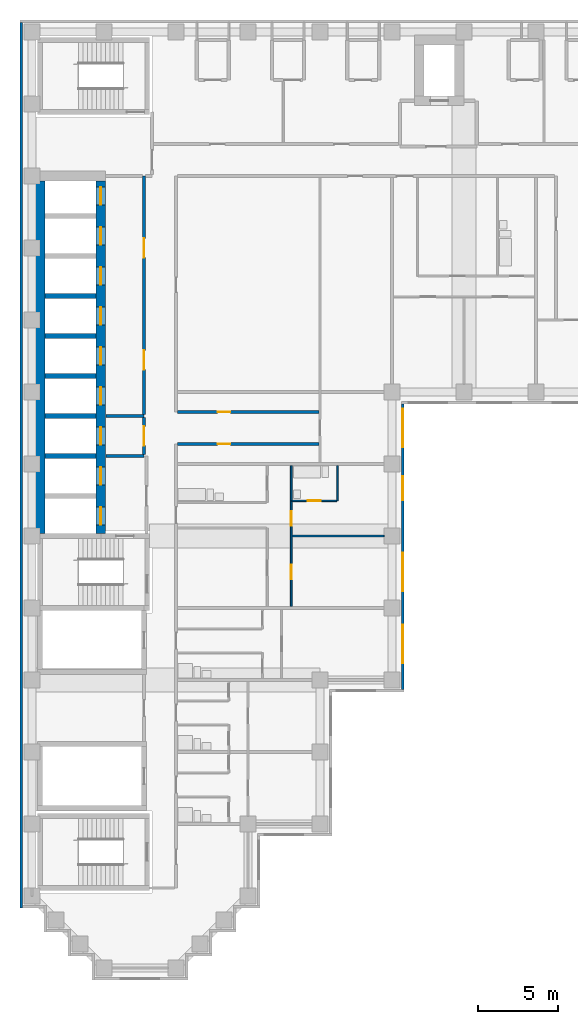
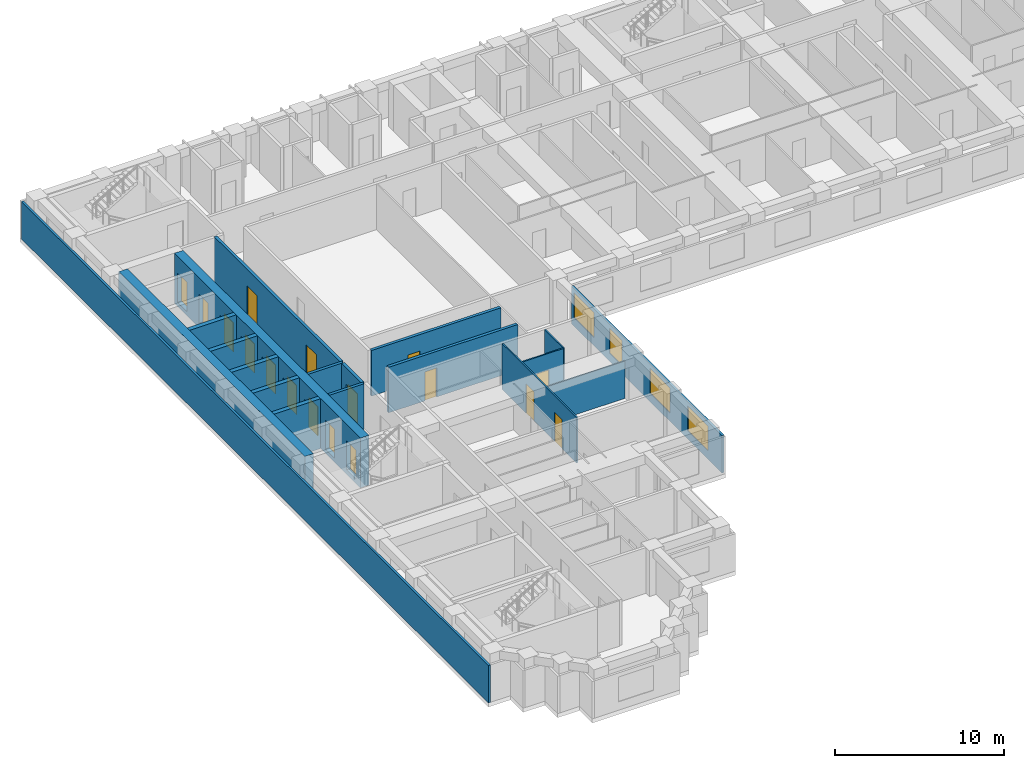
# One storey, part 4 of 12: 19 walls, 17 doors, 4 windows, 21 openings.
"""IFC4 building model written with IfcOpenShell, lengths in metres."""

from ifc_helpers import new_model, si_unit, direction, frame, frame_2d, origin, place, context, subcontext, project, spatial, rectangle, extrude, material, layer, layer_set, type_object, element, fill, save


model = new_model("IFC4")

# Units and contexts
model_context = context("Model", 3, precision=1e-05, world=origin(), true_north=direction((0.0, 1.0)))
body_context = subcontext(model_context, "Body", "Model", "MODEL_VIEW")
ifc_project = project(units=[si_unit("LENGTHUNIT", "METRE"), si_unit("AREAUNIT", "SQUARE_METRE"), si_unit("VOLUMEUNIT", "CUBIC_METRE"), si_unit("PLANEANGLEUNIT", "RADIAN"), si_unit("MASSUNIT", "GRAM", prefix="KILO")], contexts=[model_context])

# Site, building, storey
site_placement = place(None, origin())
site = spatial("IfcSite", under=ifc_project, at=site_placement, CompositionType="ELEMENT")
building_placement = place(site_placement, origin())
building = spatial("IfcBuilding", under=site, at=building_placement, Name="Firuza Court", CompositionType="ELEMENT")
storey_placement = place(building_placement, frame((0.0, 0.0, 152.0)))
storey = spatial("IfcBuildingStorey", under=building, at=storey_placement, Name="L38", CompositionType="ELEMENT", Elevation=152.0)

# Wall, opening, door
ifc_material_1 = material(Name="Moisture-resistant gypsum board partition")
ifc_layer_1 = layer(ifc_material_1, 0.10009765625)
ifc_layer_set_1 = layer_set([ifc_layer_1], Name="Moisture-resistant gypsum board partition")
wall_type_1 = type_object("IfcWallType", Name="Bathroom partition 100", PredefinedType="PLUMBINGWALL", material=ifc_layer_set_1)
wall_1_placement = place(storey_placement, frame((16.25, 29.199951171875, 0.0), z_axis=(0.0, 0.0, 1.0), x_axis=(1.0, 0.0, 0.0)))
wall_1 = element("IfcWall", 1, at=wall_1_placement, inside=storey, type_object=wall_type_1, Name="Bathroom partition 100 L38", PredefinedType="PLUMBINGWALL", context=body_context, shape_type="SweptSolid", body=[
    extrude(rectangle(XDim=2.800048828125, YDim=0.10009765625, at=frame_2d((1.39990234375, 0.0))), origin(), (0.0, 0.0, 1.0), 3.300048828125),
])
opening_1_placement = place(wall_1_placement, frame((1.0, 0.0, 0.0)))
opening_1 = element("IfcOpeningElement", 2, at=opening_1_placement, cuts=wall_1, Name="Opening D38037", PredefinedType="OPENING", context=body_context, shape_type="SweptSolid", body=[
    extrude(rectangle(XDim=0.800048828125, YDim=2.10009765625, at=frame_2d((0.39990234375, 1.050048828125))), frame((0.0, 0.06201171875, 0.0), z_axis=(0.0, -1.0, 0.0), x_axis=(1.0, 0.0, 0.0)), (0.0, 0.0, 1.0), 0.1240234375),
])
ifc_material_2 = material(Name="Timber door leaf in hardwood frame", Category="wood")
door_type_1 = type_object("IfcDoorType", Name="Bathroom door 800", OperationType="SINGLE_SWING_LEFT", PredefinedType="DOOR", material=ifc_material_2)
door_1_placement = place(opening_1_placement, origin())
door_1 = element("IfcDoor", 3, at=door_1_placement, inside=storey, type_object=door_type_1, Name="En-suite door", OperationType="SINGLE_SWING_LEFT", OverallHeight=2.10009765625, OverallWidth=0.800048828125, PredefinedType="DOOR", context=body_context, shape_type="SweptSolid", body=[
    extrude(rectangle(XDim=0.800048828125, YDim=2.10009765625, at=frame_2d((0.39990234375, 1.050048828125))), frame((0.0, 0.02490234375, 0.0), z_axis=(0.0, -1.0, 0.0), x_axis=(1.0, 0.0, 0.0)), (0.0, 0.0, 1.0), 0.050048828125),
])
fill(opening_1, door_1)

# Walls
wall_2_placement = place(storey_placement, frame((19.10009765625, 29.199951171875, 0.0), z_axis=(0.0, 0.0, 1.0), x_axis=(0.0, 1.0, 0.0)))
element("IfcWall", 4, at=wall_2_placement, inside=storey, type_object=wall_type_1, Name="Bathroom partition 100 L38", PredefinedType="PLUMBINGWALL", context=body_context, shape_type="SweptSolid", body=[
    extrude(rectangle(XDim=2.199951171875, YDim=0.10009765625, at=frame_2d((1.10009765625, 0.0))), origin(), (0.0, 0.0, 1.0), 3.300048828125),
])
ifc_material_3 = material(Name="Concrete C60/75", Category="concrete")
ifc_layer_2 = layer(ifc_material_3, 0.300048828125)
ifc_layer_set_2 = layer_set([ifc_layer_2], Name="Concrete C60/75")
wall_type_2 = type_object("IfcWallType", Name="Core wall 300 C60/75", PredefinedType="SHEAR", material=ifc_layer_set_2)
for number, where, z_axis, x_axis, name in (
    (5, (0.800048828125, 32.0, -0.300048828125), (0.0, 0.0, 1.0), (1.0, 0.0, 0.0), "Core wall lift shaft L38"),
    (6, (0.800048828125, 34.5, -0.300048828125), (0.0, 0.0, 1.0), (1.0, 0.0, 0.0), "Core wall lift shaft L38"),
    (7, (0.800048828125, 37.0, -0.300048828125), (0.0, 0.0, 1.0), (1.0, 0.0, 0.0), "Core wall lift shaft L38"),
    (8, (0.800048828125, 39.5, -0.300048828125), (0.0, 0.0, 1.0), (1.0, 0.0, 0.0), "Core wall lift shaft L38"),
    (9, (0.800048828125, 42.0, -0.300048828125), (0.0, 0.0, 1.0), (1.0, 0.0, 0.0), "Core wall lift shaft L38"),
):
    element("IfcWall", number, at=place(storey_placement, frame(where, z_axis=z_axis, x_axis=x_axis)), inside=storey, type_object=wall_type_2, Name=name, PredefinedType="SHEAR", context=body_context, shape_type="SweptSolid", body=[
        extrude(rectangle(XDim=3.199951171875, YDim=0.300048828125, at=frame_2d((1.60009765625, 0.0))), origin(), (0.0, 0.0, 1.0), 3.60009765625),
    ])
ifc_layer_3 = layer(ifc_material_3, 0.60009765625)
ifc_layer_set_3 = layer_set([ifc_layer_3], Name="Concrete C60/75")
wall_type_3 = type_object("IfcWallType", Name="Core wall 600 C60/75", PredefinedType="SHEAR", material=ifc_layer_set_3)
wall_3_placement = place(storey_placement, frame((0.5, 27.14990234375, -0.300048828125), z_axis=(0.0, 0.0, 1.0), x_axis=(0.0, 1.0, 0.0)))
element("IfcWall", 10, at=wall_3_placement, inside=storey, type_object=wall_type_3, Name="Core wall lift shaft L38", PredefinedType="SHEAR", context=body_context, shape_type="SweptSolid", body=[
    extrude(rectangle(XDim=22.050048828125, YDim=0.60009765625, at=frame_2d((11.02490234375, 0.0))), origin(), (0.0, 0.0, 1.0), 3.60009765625),
])

# Wall, openings, doors
wall_4_placement = place(storey_placement, frame((4.300048828125, 27.14990234375, -0.300048828125), z_axis=(0.0, 0.0, 1.0), x_axis=(0.0, 1.0, 0.0)))
wall_4 = element("IfcWall", 11, at=wall_4_placement, inside=storey, type_object=wall_type_3, Name="Core wall lift shaft L38", PredefinedType="SHEAR", context=body_context, shape_type="SweptSolid", body=[
    extrude(rectangle(XDim=22.050048828125, YDim=0.60009765625, at=frame_2d((11.02490234375, 0.0))), origin(), (0.0, 0.0, 1.0), 3.60009765625),
])
opening_2_placement = place(wall_4_placement, frame((3.050048828125, 0.0, 0.300048828125)))
opening_2 = element("IfcOpeningElement", 12, at=opening_2_placement, cuts=wall_4, Name="Opening LD-FL1-38", PredefinedType="OPENING", context=body_context, shape_type="SweptSolid", body=[
    extrude(rectangle(XDim=1.10009765625, YDim=2.10009765625, at=frame_2d((0.550048828125, 1.050048828125))), frame((0.0, 0.31201171875, 0.0), z_axis=(0.0, -1.0, 0.0), x_axis=(1.0, 0.0, 0.0)), (0.0, 0.0, 1.0), 0.6240234375),
])
opening_3_placement = place(wall_4_placement, frame((0.550048828125, 0.0, 0.300048828125)))
opening_3 = element("IfcOpeningElement", 13, at=opening_3_placement, cuts=wall_4, Name="Opening LD-FL2-38", PredefinedType="OPENING", context=body_context, shape_type="SweptSolid", body=[
    extrude(rectangle(XDim=1.10009765625, YDim=2.10009765625, at=frame_2d((0.550048828125, 1.050048828125))), frame((0.0, 0.31201171875, 0.0), z_axis=(0.0, -1.0, 0.0), x_axis=(1.0, 0.0, 0.0)), (0.0, 0.0, 1.0), 0.6240234375),
])
opening_4_placement = place(wall_4_placement, frame((20.550048828125, 0.0, 0.300048828125)))
opening_4 = element("IfcOpeningElement", 14, at=opening_4_placement, cuts=wall_4, Name="Opening LD-HB1-38", PredefinedType="OPENING", context=body_context, shape_type="SweptSolid", body=[
    extrude(rectangle(XDim=1.10009765625, YDim=2.10009765625, at=frame_2d((0.550048828125, 1.050048828125))), frame((0.0, 0.31201171875, 0.0), z_axis=(0.0, -1.0, 0.0), x_axis=(1.0, 0.0, 0.0)), (0.0, 0.0, 1.0), 0.6240234375),
])
opening_5_placement = place(wall_4_placement, frame((18.050048828125, 0.0, 0.300048828125)))
opening_5 = element("IfcOpeningElement", 15, at=opening_5_placement, cuts=wall_4, Name="Opening LD-HB2-38", PredefinedType="OPENING", context=body_context, shape_type="SweptSolid", body=[
    extrude(rectangle(XDim=1.10009765625, YDim=2.10009765625, at=frame_2d((0.550048828125, 1.050048828125))), frame((0.0, 0.31201171875, 0.0), z_axis=(0.0, -1.0, 0.0), x_axis=(1.0, 0.0, 0.0)), (0.0, 0.0, 1.0), 0.6240234375),
])
opening_6_placement = place(wall_4_placement, frame((15.550048828125, 0.0, 0.300048828125)))
opening_6 = element("IfcOpeningElement", 16, at=opening_6_placement, cuts=wall_4, Name="Opening LD-HB3-38", PredefinedType="OPENING", context=body_context, shape_type="SweptSolid", body=[
    extrude(rectangle(XDim=1.10009765625, YDim=2.10009765625, at=frame_2d((0.550048828125, 1.050048828125))), frame((0.0, 0.31201171875, 0.0), z_axis=(0.0, -1.0, 0.0), x_axis=(1.0, 0.0, 0.0)), (0.0, 0.0, 1.0), 0.6240234375),
])
opening_7_placement = place(wall_4_placement, frame((13.050048828125, 0.0, 0.300048828125)))
opening_7 = element("IfcOpeningElement", 17, at=opening_7_placement, cuts=wall_4, Name="Opening LD-HB4-38", PredefinedType="OPENING", context=body_context, shape_type="SweptSolid", body=[
    extrude(rectangle(XDim=1.10009765625, YDim=2.10009765625, at=frame_2d((0.550048828125, 1.050048828125))), frame((0.0, 0.31201171875, 0.0), z_axis=(0.0, -1.0, 0.0), x_axis=(1.0, 0.0, 0.0)), (0.0, 0.0, 1.0), 0.6240234375),
])
opening_8_placement = place(wall_4_placement, frame((10.550048828125, 0.0, 0.300048828125)))
opening_8 = element("IfcOpeningElement", 18, at=opening_8_placement, cuts=wall_4, Name="Opening LD-HB5-38", PredefinedType="OPENING", context=body_context, shape_type="SweptSolid", body=[
    extrude(rectangle(XDim=1.10009765625, YDim=2.10009765625, at=frame_2d((0.550048828125, 1.050048828125))), frame((0.0, 0.31201171875, 0.0), z_axis=(0.0, -1.0, 0.0), x_axis=(1.0, 0.0, 0.0)), (0.0, 0.0, 1.0), 0.6240234375),
])
opening_9_placement = place(wall_4_placement, frame((8.050048828125, 0.0, 0.300048828125)))
opening_9 = element("IfcOpeningElement", 19, at=opening_9_placement, cuts=wall_4, Name="Opening LD-HB6-38", PredefinedType="OPENING", context=body_context, shape_type="SweptSolid", body=[
    extrude(rectangle(XDim=1.10009765625, YDim=2.10009765625, at=frame_2d((0.550048828125, 1.050048828125))), frame((0.0, 0.31201171875, 0.0), z_axis=(0.0, -1.0, 0.0), x_axis=(1.0, 0.0, 0.0)), (0.0, 0.0, 1.0), 0.6240234375),
])
opening_10_placement = place(wall_4_placement, frame((5.550048828125, 0.0, 0.300048828125)))
opening_10 = element("IfcOpeningElement", 20, at=opening_10_placement, cuts=wall_4, Name="Opening LD-SL1-38", PredefinedType="OPENING", context=body_context, shape_type="SweptSolid", body=[
    extrude(rectangle(XDim=1.10009765625, YDim=2.10009765625, at=frame_2d((0.550048828125, 1.050048828125))), frame((0.0, 0.31201171875, 0.0), z_axis=(0.0, -1.0, 0.0), x_axis=(1.0, 0.0, 0.0)), (0.0, 0.0, 1.0), 0.6240234375),
])
ifc_material_4 = material(Name="Stainless steel 1.4301 door leaf", Category="steel")
door_type_2 = type_object("IfcDoorType", Name="Lift landing door 1100", OperationType="SLIDING_TO_LEFT", PredefinedType="DOOR", material=ifc_material_4)
door_2_placement = place(opening_2_placement, origin())
door_2 = element("IfcDoor", 21, at=door_2_placement, inside=storey, type_object=door_type_2, Name="Landing door FL1", OperationType="SLIDING_TO_LEFT", OverallHeight=2.10009765625, OverallWidth=1.10009765625, PredefinedType="DOOR", context=body_context, shape_type="SweptSolid", body=[
    extrude(rectangle(XDim=1.10009765625, YDim=2.10009765625, at=frame_2d((0.550048828125, 1.050048828125))), frame((0.0, 0.02490234375, 0.0), z_axis=(0.0, -1.0, 0.0), x_axis=(1.0, 0.0, 0.0)), (0.0, 0.0, 1.0), 0.050048828125),
])
fill(opening_2, door_2)
door_3_placement = place(opening_3_placement, origin())
door_3 = element("IfcDoor", 22, at=door_3_placement, inside=storey, type_object=door_type_2, Name="Landing door FL2", OperationType="SLIDING_TO_LEFT", OverallHeight=2.10009765625, OverallWidth=1.10009765625, PredefinedType="DOOR", context=body_context, shape_type="SweptSolid", body=[
    extrude(rectangle(XDim=1.10009765625, YDim=2.10009765625, at=frame_2d((0.550048828125, 1.050048828125))), frame((0.0, 0.02490234375, 0.0), z_axis=(0.0, -1.0, 0.0), x_axis=(1.0, 0.0, 0.0)), (0.0, 0.0, 1.0), 0.050048828125),
])
fill(opening_3, door_3)
door_4_placement = place(opening_4_placement, origin())
door_4 = element("IfcDoor", 23, at=door_4_placement, inside=storey, type_object=door_type_2, Name="Landing door HB1", OperationType="SLIDING_TO_LEFT", OverallHeight=2.10009765625, OverallWidth=1.10009765625, PredefinedType="DOOR", context=body_context, shape_type="SweptSolid", body=[
    extrude(rectangle(XDim=1.10009765625, YDim=2.10009765625, at=frame_2d((0.550048828125, 1.050048828125))), frame((0.0, 0.02490234375, 0.0), z_axis=(0.0, -1.0, 0.0), x_axis=(1.0, 0.0, 0.0)), (0.0, 0.0, 1.0), 0.050048828125),
])
fill(opening_4, door_4)
door_5_placement = place(opening_5_placement, origin())
door_5 = element("IfcDoor", 24, at=door_5_placement, inside=storey, type_object=door_type_2, Name="Landing door HB2", OperationType="SLIDING_TO_LEFT", OverallHeight=2.10009765625, OverallWidth=1.10009765625, PredefinedType="DOOR", context=body_context, shape_type="SweptSolid", body=[
    extrude(rectangle(XDim=1.10009765625, YDim=2.10009765625, at=frame_2d((0.550048828125, 1.050048828125))), frame((0.0, 0.02490234375, 0.0), z_axis=(0.0, -1.0, 0.0), x_axis=(1.0, 0.0, 0.0)), (0.0, 0.0, 1.0), 0.050048828125),
])
fill(opening_5, door_5)
door_6_placement = place(opening_6_placement, origin())
door_6 = element("IfcDoor", 25, at=door_6_placement, inside=storey, type_object=door_type_2, Name="Landing door HB3", OperationType="SLIDING_TO_LEFT", OverallHeight=2.10009765625, OverallWidth=1.10009765625, PredefinedType="DOOR", context=body_context, shape_type="SweptSolid", body=[
    extrude(rectangle(XDim=1.10009765625, YDim=2.10009765625, at=frame_2d((0.550048828125, 1.050048828125))), frame((0.0, 0.02490234375, 0.0), z_axis=(0.0, -1.0, 0.0), x_axis=(1.0, 0.0, 0.0)), (0.0, 0.0, 1.0), 0.050048828125),
])
fill(opening_6, door_6)
door_7_placement = place(opening_7_placement, origin())
door_7 = element("IfcDoor", 26, at=door_7_placement, inside=storey, type_object=door_type_2, Name="Landing door HB4", OperationType="SLIDING_TO_LEFT", OverallHeight=2.10009765625, OverallWidth=1.10009765625, PredefinedType="DOOR", context=body_context, shape_type="SweptSolid", body=[
    extrude(rectangle(XDim=1.10009765625, YDim=2.10009765625, at=frame_2d((0.550048828125, 1.050048828125))), frame((0.0, 0.02490234375, 0.0), z_axis=(0.0, -1.0, 0.0), x_axis=(1.0, 0.0, 0.0)), (0.0, 0.0, 1.0), 0.050048828125),
])
fill(opening_7, door_7)
door_8_placement = place(opening_8_placement, origin())
door_8 = element("IfcDoor", 27, at=door_8_placement, inside=storey, type_object=door_type_2, Name="Landing door HB5", OperationType="SLIDING_TO_LEFT", OverallHeight=2.10009765625, OverallWidth=1.10009765625, PredefinedType="DOOR", context=body_context, shape_type="SweptSolid", body=[
    extrude(rectangle(XDim=1.10009765625, YDim=2.10009765625, at=frame_2d((0.550048828125, 1.050048828125))), frame((0.0, 0.02490234375, 0.0), z_axis=(0.0, -1.0, 0.0), x_axis=(1.0, 0.0, 0.0)), (0.0, 0.0, 1.0), 0.050048828125),
])
fill(opening_8, door_8)
door_9_placement = place(opening_9_placement, origin())
door_9 = element("IfcDoor", 28, at=door_9_placement, inside=storey, type_object=door_type_2, Name="Landing door HB6", OperationType="SLIDING_TO_LEFT", OverallHeight=2.10009765625, OverallWidth=1.10009765625, PredefinedType="DOOR", context=body_context, shape_type="SweptSolid", body=[
    extrude(rectangle(XDim=1.10009765625, YDim=2.10009765625, at=frame_2d((0.550048828125, 1.050048828125))), frame((0.0, 0.02490234375, 0.0), z_axis=(0.0, -1.0, 0.0), x_axis=(1.0, 0.0, 0.0)), (0.0, 0.0, 1.0), 0.050048828125),
])
fill(opening_9, door_9)
door_10_placement = place(opening_10_placement, origin())
door_10 = element("IfcDoor", 29, at=door_10_placement, inside=storey, type_object=door_type_2, Name="Landing door SL1", OperationType="SLIDING_TO_LEFT", OverallHeight=2.10009765625, OverallWidth=1.10009765625, PredefinedType="DOOR", context=body_context, shape_type="SweptSolid", body=[
    extrude(rectangle(XDim=1.10009765625, YDim=2.10009765625, at=frame_2d((0.550048828125, 1.050048828125))), frame((0.0, 0.02490234375, 0.0), z_axis=(0.0, -1.0, 0.0), x_axis=(1.0, 0.0, 0.0)), (0.0, 0.0, 1.0), 0.050048828125),
])
fill(opening_10, door_10)

# Wall, opening, door
ifc_material_5 = material(Name="Blockwork, plastered both sides", Category="masonry")
ifc_layer_4 = layer(ifc_material_5, 0.199951171875)
ifc_layer_set_4 = layer_set([ifc_layer_4], Name="Blockwork, plastered both sides")
wall_type_4 = type_object("IfcWallType", Name="Corridor wall 200", PredefinedType="PARTITIONING", material=ifc_layer_set_4)
wall_5_placement = place(storey_placement, frame((9.10009765625, 32.75, 0.0), z_axis=(0.0, 0.0, 1.0), x_axis=(1.0, 0.0, 0.0)))
wall_5 = element("IfcWall", 30, at=wall_5_placement, inside=storey, type_object=wall_type_4, Name="Corridor wall 200 L38", PredefinedType="PARTITIONING", context=body_context, shape_type="SweptSolid", body=[
    extrude(rectangle(XDim=8.849853515625, YDim=0.199951171875, at=frame_2d((4.4248046875, 0.0))), origin(), (0.0, 0.0, 1.0), 3.300048828125),
])
opening_11_placement = place(wall_5_placement, frame((2.5, 0.0, 0.0)))
opening_11 = element("IfcOpeningElement", 31, at=opening_11_placement, cuts=wall_5, Name="Opening D38039", PredefinedType="OPENING", context=body_context, shape_type="SweptSolid", body=[
    extrude(rectangle(XDim=0.800048828125, YDim=2.10009765625, at=frame_2d((0.39990234375, 1.050048828125))), frame((0.0, 0.11181640625, 0.0), z_axis=(0.0, -1.0, 0.0), x_axis=(1.0, 0.0, 0.0)), (0.0, 0.0, 1.0), 0.223876953125),
])
ifc_material_6 = material(Name="Timber door leaf in hardwood frame", Category="wood")
door_type_3 = type_object("IfcDoorType", Name="Room door 800 EI 30", OperationType="SINGLE_SWING_LEFT", PredefinedType="DOOR", material=ifc_material_6)
door_11_placement = place(opening_11_placement, frame((0.800048828125, 0.0, 0.0), z_axis=(0.0, 0.0, 1.0), x_axis=(-1.0, 0.0, 0.0)))
door_11 = element("IfcDoor", 32, at=door_11_placement, inside=storey, type_object=door_type_3, Name="Store door", OperationType="SINGLE_SWING_RIGHT", OverallHeight=2.10009765625, OverallWidth=0.800048828125, PredefinedType="DOOR", context=body_context, shape_type="SweptSolid", body=[
    extrude(rectangle(XDim=0.800048828125, YDim=2.10009765625, at=frame_2d((0.39990234375, 1.050048828125))), frame((0.0, 0.02490234375, 0.0), z_axis=(0.0, -1.0, 0.0), x_axis=(1.0, 0.0, 0.0)), (0.0, 0.0, 1.0), 0.050048828125),
])
fill(opening_11, door_11)

wall_6_placement = place(storey_placement, frame((9.10009765625, 34.75, 0.0), z_axis=(0.0, 0.0, 1.0), x_axis=(1.0, 0.0, 0.0)))
wall_6 = element("IfcWall", 33, at=wall_6_placement, inside=storey, type_object=wall_type_4, Name="Corridor wall 200 L38", PredefinedType="PARTITIONING", context=body_context, shape_type="SweptSolid", body=[
    extrude(rectangle(XDim=8.849853515625, YDim=0.199951171875, at=frame_2d((4.4248046875, 0.0))), origin(), (0.0, 0.0, 1.0), 3.300048828125),
])
opening_12_placement = place(wall_6_placement, frame((2.5, 0.0, 0.0)))
opening_12 = element("IfcOpeningElement", 34, at=opening_12_placement, cuts=wall_6, Name="Opening D38041", PredefinedType="OPENING", context=body_context, shape_type="SweptSolid", body=[
    extrude(rectangle(XDim=0.800048828125, YDim=2.10009765625, at=frame_2d((0.39990234375, 1.050048828125))), frame((0.0, 0.11181640625, 0.0), z_axis=(0.0, -1.0, 0.0), x_axis=(1.0, 0.0, 0.0)), (0.0, 0.0, 1.0), 0.223876953125),
])
door_12_placement = place(opening_12_placement, origin())
door_12 = element("IfcDoor", 35, at=door_12_placement, inside=storey, type_object=door_type_3, Name="Store door", OperationType="SINGLE_SWING_LEFT", OverallHeight=2.10009765625, OverallWidth=0.800048828125, PredefinedType="DOOR", context=body_context, shape_type="SweptSolid", body=[
    extrude(rectangle(XDim=0.800048828125, YDim=2.10009765625, at=frame_2d((0.39990234375, 1.050048828125))), frame((0.0, 0.02490234375, 0.0), z_axis=(0.0, -1.0, 0.0), x_axis=(1.0, 0.0, 0.0)), (0.0, 0.0, 1.0), 0.050048828125),
])
fill(opening_12, door_12)

# Wall, openings, doors
ifc_material_7 = material(Name="Timber stud partition, plasterboard both sides", Category="wood")
ifc_layer_5 = layer(ifc_material_7, 0.10009765625)
ifc_layer_set_5 = layer_set([ifc_layer_5], Name="Timber stud partition, plasterboard both sides")
wall_type_5 = type_object("IfcWallType", Name="Partition wall 100", PredefinedType="PARTITIONING", material=ifc_layer_set_5)
wall_7_placement = place(storey_placement, frame((16.199951171875, 22.60009765625, 0.0), z_axis=(0.0, 0.0, 1.0), x_axis=(0.0, 1.0, 0.0)))
wall_7 = element("IfcWall", 36, at=wall_7_placement, inside=storey, type_object=wall_type_5, Name="Partition wall 100 L38", PredefinedType="PARTITIONING", context=body_context, shape_type="SweptSolid", body=[
    extrude(rectangle(XDim=8.7998046875, YDim=0.10009765625, at=frame_2d((4.39990234375, 0.0))), origin(), (0.0, 0.0, 1.0), 3.300048828125),
])
opening_13_placement = place(wall_7_placement, frame((1.699951171875, 0.0, 0.0)))
opening_13 = element("IfcOpeningElement", 37, at=opening_13_placement, cuts=wall_7, Name="Opening D38034", PredefinedType="OPENING", context=body_context, shape_type="SweptSolid", body=[
    extrude(rectangle(XDim=0.89990234375, YDim=2.10009765625, at=frame_2d((0.449951171875, 1.050048828125))), frame((0.0, 0.06201171875, 0.0), z_axis=(0.0, -1.0, 0.0), x_axis=(1.0, 0.0, 0.0)), (0.0, 0.0, 1.0), 0.1240234375),
])
opening_14_placement = place(wall_7_placement, frame((5.050048828125, 0.0, 0.0)))
opening_14 = element("IfcOpeningElement", 38, at=opening_14_placement, cuts=wall_7, Name="Opening D38035", PredefinedType="OPENING", context=body_context, shape_type="SweptSolid", body=[
    extrude(rectangle(XDim=0.89990234375, YDim=2.10009765625, at=frame_2d((0.449951171875, 1.050048828125))), frame((0.0, 0.06201171875, 0.0), z_axis=(0.0, -1.0, 0.0), x_axis=(1.0, 0.0, 0.0)), (0.0, 0.0, 1.0), 0.1240234375),
])
ifc_material_8 = material(Name="Timber door leaf in hardwood frame", Category="wood")
door_type_4 = type_object("IfcDoorType", Name="Room door 900", OperationType="SINGLE_SWING_LEFT", PredefinedType="DOOR", material=ifc_material_8)
door_13_placement = place(opening_13_placement, frame((0.89990234375, 0.0, 0.0), z_axis=(0.0, 0.0, 1.0), x_axis=(-1.0, 0.0, 0.0)))
door_13 = element("IfcDoor", 39, at=door_13_placement, inside=storey, type_object=door_type_4, Name="Living room door", OperationType="SINGLE_SWING_RIGHT", OverallHeight=2.10009765625, OverallWidth=0.89990234375, PredefinedType="DOOR", context=body_context, shape_type="SweptSolid", body=[
    extrude(rectangle(XDim=0.89990234375, YDim=2.10009765625, at=frame_2d((0.449951171875, 1.050048828125))), frame((0.0, 0.02490234375, 0.0), z_axis=(0.0, -1.0, 0.0), x_axis=(1.0, 0.0, 0.0)), (0.0, 0.0, 1.0), 0.050048828125),
])
fill(opening_13, door_13)
door_14_placement = place(opening_14_placement, frame((0.89990234375, 0.0, 0.0), z_axis=(0.0, 0.0, 1.0), x_axis=(-1.0, 0.0, 0.0)))
door_14 = element("IfcDoor", 40, at=door_14_placement, inside=storey, type_object=door_type_4, Name="Bedroom door", OperationType="SINGLE_SWING_RIGHT", OverallHeight=2.10009765625, OverallWidth=0.89990234375, PredefinedType="DOOR", context=body_context, shape_type="SweptSolid", body=[
    extrude(rectangle(XDim=0.89990234375, YDim=2.10009765625, at=frame_2d((0.449951171875, 1.050048828125))), frame((0.0, 0.02490234375, 0.0), z_axis=(0.0, -1.0, 0.0), x_axis=(1.0, 0.0, 0.0)), (0.0, 0.0, 1.0), 0.050048828125),
])
fill(opening_14, door_14)

# Wall
wall_8_placement = place(storey_placement, frame((16.25, 27.0, 0.0), z_axis=(0.0, 0.0, 1.0), x_axis=(1.0, 0.0, 0.0)))
element("IfcWall", 41, at=wall_8_placement, inside=storey, type_object=wall_type_5, Name="Partition wall 100 L38", PredefinedType="PARTITIONING", context=body_context, shape_type="SweptSolid", body=[
    extrude(rectangle(XDim=5.75, YDim=0.10009765625, at=frame_2d((2.875, 0.0))), origin(), (0.0, 0.0, 1.0), 2.699951171875),
])

# Wall, openings, windows
ifc_material_9 = material(Name="Ceramic tile", Category="ceramic")
ifc_layer_6 = layer(ifc_material_9, 0.02001953125)
ifc_material_10 = material(Name="Mineral wool insulation", Category="insulation")
ifc_layer_7 = layer(ifc_material_10, 0.050048828125)
ifc_material_11 = material(Name="Concrete C40/50 precast", Category="concrete")
ifc_layer_8 = layer(ifc_material_11, 0.080078125)
ifc_layer_set_6 = layer_set([ifc_layer_6, ifc_layer_7, ifc_layer_8], Name="Concrete C40/50 precast")
wall_type_6 = type_object("IfcWallType", Name="Precast cladding wall with turquoise TILE PANEL face 150", PredefinedType="STANDARD", material=ifc_layer_set_6)
wall_9_placement = place(storey_placement, frame((23.175048828125, 17.39990234375, 0.0), z_axis=(0.0, 0.0, 1.0), x_axis=(0.0, 1.0, 0.0)))
wall_9 = element("IfcWall", 42, at=wall_9_placement, inside=storey, type_object=wall_type_6, Name="Facade wall L38 E", PredefinedType="STANDARD", context=body_context, shape_type="SweptSolid", body=[
    extrude(rectangle(XDim=17.85009765625, YDim=0.14990234375, at=frame_2d((8.925048828125, 0.0))), origin(), (0.0, 0.0, 1.0), 2.699951171875),
])
opening_15_placement = place(wall_9_placement, frame((1.64990234375, 0.0, 0.60009765625)))
opening_15 = element("IfcOpeningElement", 43, at=opening_15_placement, cuts=wall_9, Name="Opening W1", PredefinedType="OPENING", context=body_context, shape_type="SweptSolid", body=[
    extrude(rectangle(XDim=2.39990234375, YDim=1.800048828125, at=frame_2d((1.199951171875, 0.89990234375))), frame((0.0, 0.0869140625, 0.0), z_axis=(0.0, -1.0, 0.0), x_axis=(1.0, 0.0, 0.0)), (0.0, 0.0, 1.0), 0.173828125),
])
opening_16_placement = place(wall_9_placement, frame((6.14990234375, 0.0, 0.60009765625)))
opening_16 = element("IfcOpeningElement", 44, at=opening_16_placement, cuts=wall_9, Name="Opening W1", PredefinedType="OPENING", context=body_context, shape_type="SweptSolid", body=[
    extrude(rectangle(XDim=2.39990234375, YDim=1.800048828125, at=frame_2d((1.199951171875, 0.89990234375))), frame((0.0, 0.0869140625, 0.0), z_axis=(0.0, -1.0, 0.0), x_axis=(1.0, 0.0, 0.0)), (0.0, 0.0, 1.0), 0.173828125),
])
opening_17_placement = place(wall_9_placement, frame((11.844482421875, 0.0, 0.60009765625)))
opening_17 = element("IfcOpeningElement", 45, at=opening_17_placement, cuts=wall_9, Name="Opening W2", PredefinedType="OPENING", context=body_context, shape_type="SweptSolid", body=[
    extrude(rectangle(XDim=1.5, YDim=1.800048828125, at=frame_2d((0.75, 0.89990234375))), frame((0.0, 0.0869140625, 0.0), z_axis=(0.0, -1.0, 0.0), x_axis=(1.0, 0.0, 0.0)), (0.0, 0.0, 1.0), 0.173828125),
])
opening_18_placement = place(wall_9_placement, frame((15.14990234375, 0.0, 0.60009765625)))
opening_18 = element("IfcOpeningElement", 46, at=opening_18_placement, cuts=wall_9, Name="Opening W1", PredefinedType="OPENING", context=body_context, shape_type="SweptSolid", body=[
    extrude(rectangle(XDim=2.39990234375, YDim=1.800048828125, at=frame_2d((1.199951171875, 0.89990234375))), frame((0.0, 0.0869140625, 0.0), z_axis=(0.0, -1.0, 0.0), x_axis=(1.0, 0.0, 0.0)), (0.0, 0.0, 1.0), 0.173828125),
])
ifc_material_12 = material(Name="Aluminium frame, triple clear glazing", Category="aluminium")
window_type_1 = type_object("IfcWindowType", Name="Window W1 2400 x 1800", PartitioningType="SINGLE_PANEL", PredefinedType="WINDOW", material=ifc_material_12)
window_1_placement = place(opening_15_placement, origin())
window_1 = element("IfcWindow", 47, at=window_1_placement, inside=storey, type_object=window_type_1, Name="Window L38", OverallHeight=1.800048828125, OverallWidth=2.39990234375, PartitioningType="SINGLE_PANEL", PredefinedType="WINDOW", context=body_context, shape_type="SweptSolid", body=[
    extrude(rectangle(XDim=2.39990234375, YDim=1.800048828125, at=frame_2d((1.199951171875, 0.89990234375))), frame((0.0, 0.030029296875, 0.0), z_axis=(0.0, -1.0, 0.0), x_axis=(1.0, 0.0, 0.0)), (0.0, 0.0, 1.0), 0.06005859375),
])
fill(opening_15, window_1)
window_2_placement = place(opening_16_placement, origin())
window_2 = element("IfcWindow", 48, at=window_2_placement, inside=storey, type_object=window_type_1, Name="Window L38", OverallHeight=1.800048828125, OverallWidth=2.39990234375, PartitioningType="SINGLE_PANEL", PredefinedType="WINDOW", context=body_context, shape_type="SweptSolid", body=[
    extrude(rectangle(XDim=2.39990234375, YDim=1.800048828125, at=frame_2d((1.199951171875, 0.89990234375))), frame((0.0, 0.030029296875, 0.0), z_axis=(0.0, -1.0, 0.0), x_axis=(1.0, 0.0, 0.0)), (0.0, 0.0, 1.0), 0.06005859375),
])
fill(opening_16, window_2)
window_3_placement = place(opening_18_placement, origin())
window_3 = element("IfcWindow", 49, at=window_3_placement, inside=storey, type_object=window_type_1, Name="Window L38", OverallHeight=1.800048828125, OverallWidth=2.39990234375, PartitioningType="SINGLE_PANEL", PredefinedType="WINDOW", context=body_context, shape_type="SweptSolid", body=[
    extrude(rectangle(XDim=2.39990234375, YDim=1.800048828125, at=frame_2d((1.199951171875, 0.89990234375))), frame((0.0, 0.030029296875, 0.0), z_axis=(0.0, -1.0, 0.0), x_axis=(1.0, 0.0, 0.0)), (0.0, 0.0, 1.0), 0.06005859375),
])
fill(opening_18, window_3)
ifc_material_13 = material(Name="Aluminium frame, triple clear glazing", Category="aluminium")
window_type_2 = type_object("IfcWindowType", Name="Window W2 1500 x 1800", PartitioningType="SINGLE_PANEL", PredefinedType="WINDOW", material=ifc_material_13)
window_4_placement = place(opening_17_placement, origin())
window_4 = element("IfcWindow", 50, at=window_4_placement, inside=storey, type_object=window_type_2, Name="Window L38", OverallHeight=1.800048828125, OverallWidth=1.5, PartitioningType="SINGLE_PANEL", PredefinedType="WINDOW", context=body_context, shape_type="SweptSolid", body=[
    extrude(rectangle(XDim=1.5, YDim=1.800048828125, at=frame_2d((0.75, 0.89990234375))), frame((0.0, 0.030029296875, 0.0), z_axis=(0.0, -1.0, 0.0), x_axis=(1.0, 0.0, 0.0)), (0.0, 0.0, 1.0), 0.06005859375),
])
fill(opening_17, window_4)

# Walls
wall_10_placement = place(storey_placement, frame((-0.675048828125, 59.10009765625, 0.0), z_axis=(0.0, 0.0, 1.0), x_axis=(0.0, -1.0, 0.0)))
element("IfcWall", 51, at=wall_10_placement, inside=storey, type_object=wall_type_6, Name="Facade wall L38 W", PredefinedType="STANDARD", context=body_context, shape_type="SweptSolid", body=[
    extrude(rectangle(XDim=55.35009765625, YDim=0.14990234375, at=frame_2d((27.675048828125, 0.0))), origin(), (0.0, 0.0, 1.0), 2.699951171875),
])
ifc_material_14 = material(Name="Blockwork, fire-rated", Category="masonry")
ifc_layer_9 = layer(ifc_material_14, 0.199951171875)
ifc_layer_set_7 = layer_set([ifc_layer_9], Name="Blockwork, fire-rated")
wall_type_7 = type_object("IfcWallType", Name="Shaft wall 200", PredefinedType="PARTITIONING", material=ifc_layer_set_7)
wall_11_placement = place(storey_placement, frame((4.6201171875, 34.5, 0.0), z_axis=(0.0, 0.0, 1.0), x_axis=(1.0, 0.0, 0.0)))
element("IfcWall", 52, at=wall_11_placement, inside=storey, type_object=wall_type_7, Name="Shaft wall 200 L38", PredefinedType="PARTITIONING", context=body_context, shape_type="SweptSolid", body=[
    extrude(rectangle(XDim=2.3798828125, YDim=0.199951171875, at=frame_2d((1.18994140625, 0.0))), origin(), (0.0, 0.0, 1.0), 3.300048828125),
])

# Wall, openings, doors
wall_12_placement = place(storey_placement, frame((7.0, 34.60009765625, 0.0), z_axis=(0.0, 0.0, 1.0), x_axis=(0.0, 1.0, 0.0)))
wall_12 = element("IfcWall", 53, at=wall_12_placement, inside=storey, type_object=wall_type_7, Name="Shaft wall 200 L38", PredefinedType="PARTITIONING", context=body_context, shape_type="SweptSolid", body=[
    extrude(rectangle(XDim=14.89990234375, YDim=0.199951171875, at=frame_2d((7.449951171875, 0.0))), origin(), (0.0, 0.0, 1.0), 3.300048828125),
])
opening_19_placement = place(wall_12_placement, frame((2.800048828125, 0.0, 0.0)))
opening_19 = element("IfcOpeningElement", 54, at=opening_19_placement, cuts=wall_12, Name="Opening D38004", PredefinedType="OPENING", context=body_context, shape_type="SweptSolid", body=[
    extrude(rectangle(XDim=1.199951171875, YDim=2.10009765625, at=frame_2d((0.60009765625, 1.050048828125))), frame((0.0, 0.11181640625, 0.0), z_axis=(0.0, -1.0, 0.0), x_axis=(1.0, 0.0, 0.0)), (0.0, 0.0, 1.0), 0.223876953125),
])
opening_20_placement = place(wall_12_placement, frame((9.800048828125, 0.0, 0.0)))
opening_20 = element("IfcOpeningElement", 55, at=opening_20_placement, cuts=wall_12, Name="Opening D38005", PredefinedType="OPENING", context=body_context, shape_type="SweptSolid", body=[
    extrude(rectangle(XDim=1.199951171875, YDim=2.10009765625, at=frame_2d((0.60009765625, 1.050048828125))), frame((0.0, 0.11181640625, 0.0), z_axis=(0.0, -1.0, 0.0), x_axis=(1.0, 0.0, 0.0)), (0.0, 0.0, 1.0), 0.223876953125),
])
ifc_material_15 = material(Name="Timber door leaf in hardwood frame", Category="wood")
door_type_5 = type_object("IfcDoorType", Name="Lobby door 1200", OperationType="SINGLE_SWING_LEFT", PredefinedType="DOOR", material=ifc_material_15)
door_15_placement = place(opening_19_placement, origin())
door_15 = element("IfcDoor", 56, at=door_15_placement, inside=storey, type_object=door_type_5, Name="Lobby door", OperationType="SINGLE_SWING_LEFT", OverallHeight=2.10009765625, OverallWidth=1.199951171875, PredefinedType="DOOR", context=body_context, shape_type="SweptSolid", body=[
    extrude(rectangle(XDim=1.199951171875, YDim=2.10009765625, at=frame_2d((0.60009765625, 1.050048828125))), frame((0.0, 0.02490234375, 0.0), z_axis=(0.0, -1.0, 0.0), x_axis=(1.0, 0.0, 0.0)), (0.0, 0.0, 1.0), 0.050048828125),
])
fill(opening_19, door_15)
door_16_placement = place(opening_20_placement, origin())
door_16 = element("IfcDoor", 57, at=door_16_placement, inside=storey, type_object=door_type_5, Name="Lobby door", OperationType="SINGLE_SWING_RIGHT", OverallHeight=2.10009765625, OverallWidth=1.199951171875, PredefinedType="DOOR", context=body_context, shape_type="SweptSolid", body=[
    extrude(rectangle(XDim=1.199951171875, YDim=2.10009765625, at=frame_2d((0.60009765625, 1.050048828125))), frame((0.0, 0.02490234375, 0.0), z_axis=(0.0, -1.0, 0.0), x_axis=(1.0, 0.0, 0.0)), (0.0, 0.0, 1.0), 0.050048828125),
])
fill(opening_20, door_16)

# Wall
wall_13_placement = place(storey_placement, frame((4.6201171875, 32.0, 0.0), z_axis=(0.0, 0.0, 1.0), x_axis=(1.0, 0.0, 0.0)))
element("IfcWall", 58, at=wall_13_placement, inside=storey, type_object=wall_type_7, Name="Shaft wall 200 L38", PredefinedType="PARTITIONING", context=body_context, shape_type="SweptSolid", body=[
    extrude(rectangle(XDim=2.3798828125, YDim=0.199951171875, at=frame_2d((1.18994140625, 0.0))), origin(), (0.0, 0.0, 1.0), 3.300048828125),
])

# Wall, opening, door
wall_14_placement = place(storey_placement, frame((7.0, 32.10009765625, 0.0), z_axis=(0.0, 0.0, 1.0), x_axis=(0.0, 1.0, 0.0)))
wall_14 = element("IfcWall", 59, at=wall_14_placement, inside=storey, type_object=wall_type_7, Name="Shaft wall 200 L38", PredefinedType="PARTITIONING", context=body_context, shape_type="SweptSolid", body=[
    extrude(rectangle(XDim=2.2998046875, YDim=0.199951171875, at=frame_2d((1.14990234375, 0.0))), origin(), (0.0, 0.0, 1.0), 3.300048828125),
])
opening_21_placement = place(wall_14_placement, frame((0.550048828125, 0.0, 0.0)))
opening_21 = element("IfcOpeningElement", 60, at=opening_21_placement, cuts=wall_14, Name="Opening D38008", PredefinedType="OPENING", context=body_context, shape_type="SweptSolid", body=[
    extrude(rectangle(XDim=1.199951171875, YDim=2.10009765625, at=frame_2d((0.60009765625, 1.050048828125))), frame((0.0, 0.11181640625, 0.0), z_axis=(0.0, -1.0, 0.0), x_axis=(1.0, 0.0, 0.0)), (0.0, 0.0, 1.0), 0.223876953125),
])
door_17_placement = place(opening_21_placement, origin())
door_17 = element("IfcDoor", 61, at=door_17_placement, inside=storey, type_object=door_type_5, Name="Lobby door", OperationType="SINGLE_SWING_LEFT", OverallHeight=2.10009765625, OverallWidth=1.199951171875, PredefinedType="DOOR", context=body_context, shape_type="SweptSolid", body=[
    extrude(rectangle(XDim=1.199951171875, YDim=2.10009765625, at=frame_2d((0.60009765625, 1.050048828125))), frame((0.0, 0.02490234375, 0.0), z_axis=(0.0, -1.0, 0.0), x_axis=(1.0, 0.0, 0.0)), (0.0, 0.0, 1.0), 0.050048828125),
])
fill(opening_21, door_17)

save(model, "model.ifc")
